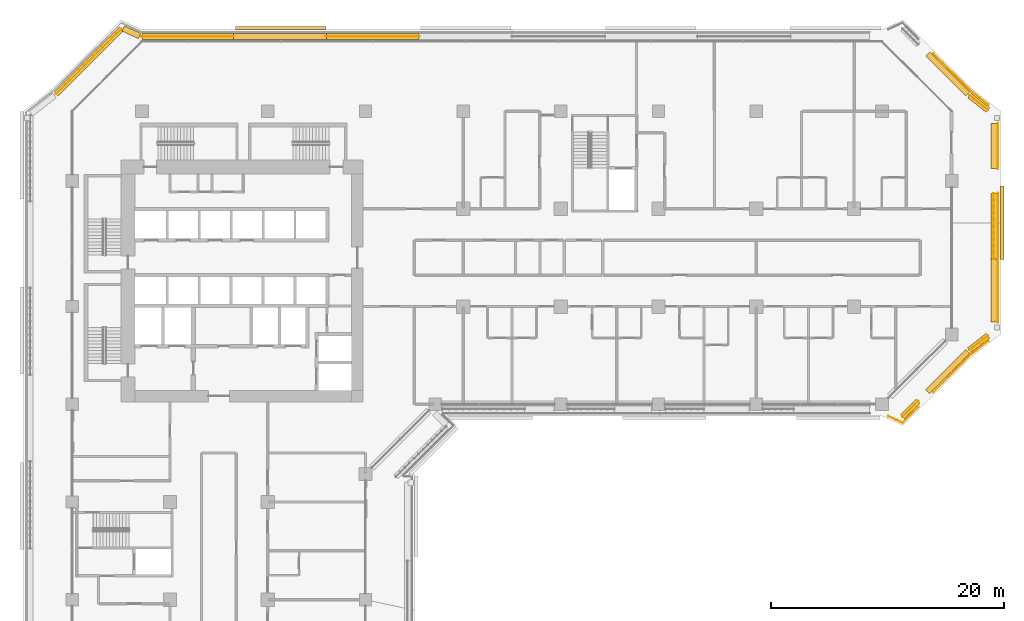
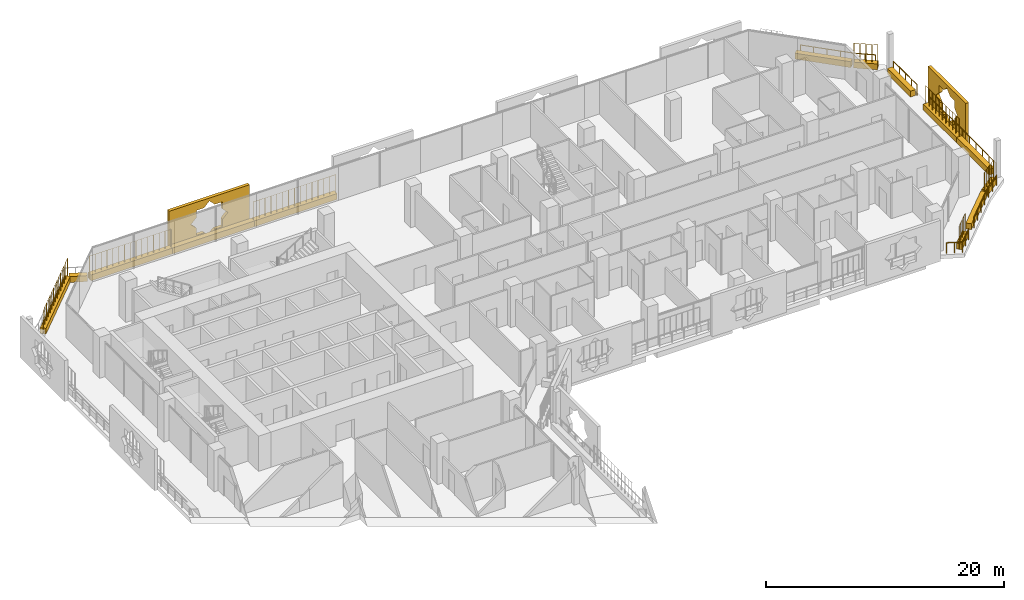
# One storey, part 25 of 26: 15 coverings, 12 railings.
"""IFC4 building model written with IfcOpenShell, lengths in metres."""

from ifc_helpers import new_model, si_unit, direction, frame, origin, origin_2d, place, context, subcontext, project, spatial, polyline, rectangle, circle, outline, extrude, material, material_profile, profile_set, type_object, element, save


model = new_model("IFC4")

# Units and contexts
model_context = context("Model", 3, precision=1e-05, world=origin(), true_north=direction((0.0, 1.0)))
body_context = subcontext(model_context, "Body", "Model", "MODEL_VIEW")
ifc_project = project(units=[si_unit("LENGTHUNIT", "METRE"), si_unit("AREAUNIT", "SQUARE_METRE"), si_unit("VOLUMEUNIT", "CUBIC_METRE"), si_unit("PLANEANGLEUNIT", "RADIAN"), si_unit("MASSUNIT", "GRAM", prefix="KILO")], contexts=[model_context])

# Site, building, storey
site_placement = place(None, origin())
site = spatial("IfcSite", under=ifc_project, at=site_placement, CompositionType="ELEMENT")
building_placement = place(site_placement, origin())
building = spatial("IfcBuilding", under=site, at=building_placement, Name="Kawkab Arch Medical Tower", CompositionType="ELEMENT")
storey_placement = place(building_placement, frame((0.0, 0.0, 119.800048828125)))
storey = spatial("IfcBuildingStorey", under=building, at=storey_placement, Name="L27", CompositionType="ELEMENT", Elevation=119.800048828125)

# Railings
ifc_material_1 = material(Name="Bronze anodised aluminium guard", Category="aluminium")
railing_type_1 = type_object("IfcRailingType", Name="Loggia and terrace guard 1100", PredefinedType="GUARDRAIL", material=ifc_material_1)
railing_1_placement = place(storey_placement, frame((74.02294921875, 4.969970703125, 0.0)))
element("IfcRailing", 1, at=railing_1_placement, inside=storey, type_object=railing_type_1, Name="Guard L27.LOG-01.1.3", PredefinedType="GUARDRAIL", context=body_context, shape_type="SweptSolid", body=[
    extrude(circle(Radius=0.02392578125, at=origin_2d()), frame((0.0, 0.0, 1.076171875), z_axis=(0.707106781187, -0.707106781187, 0.0), x_axis=(0.707106781187, 0.707106781187, 0.0)), (0.0, 0.0, 1.0), 4.641357421875),
    extrude(circle(Radius=0.02392578125, at=origin_2d()), frame((3.281982421875, -3.281982421875, 1.076171875), z_axis=(0.789253061044, -0.614068078989, 0.0), x_axis=(0.614068078989, 0.789253061044, 0.0)), (0.0, 0.0, 1.0), 1.856201171875),
    extrude(circle(Radius=0.02099609375, at=origin_2d()), origin(), (0.0, 0.0, 1.0), 1.052001953125),
    extrude(circle(Radius=0.02099609375, at=origin_2d()), frame((0.820556640625, -0.820556640625, 0.0)), (0.0, 0.0, 1.0), 1.052001953125),
    extrude(circle(Radius=0.02099609375, at=origin_2d()), frame((1.64111328125, -1.64111328125, 0.0)), (0.0, 0.0, 1.0), 1.052001953125),
    extrude(circle(Radius=0.02099609375, at=origin_2d()), frame((2.46142578125, -2.46142578125, 0.0)), (0.0, 0.0, 1.0), 1.052001953125),
    extrude(circle(Radius=0.02099609375, at=origin_2d()), frame((3.281982421875, -3.281982421875, 0.0)), (0.0, 0.0, 1.0), 1.052001953125),
    extrude(circle(Radius=0.02099609375, at=origin_2d()), frame((4.0146484375, -3.85205078125, 0.0)), (0.0, 0.0, 1.0), 1.052001953125),
    extrude(circle(Radius=0.02099609375, at=origin_2d()), frame((4.7470703125, -4.421875, 0.0)), (0.0, 0.0, 1.0), 1.052001953125),
])
railing_2_placement = place(storey_placement, frame((79.60009765625, -1.030029296875, 0.0)))
element("IfcRailing", 2, at=railing_2_placement, inside=storey, type_object=railing_type_1, Name="Guard L27.LOG-01.1.4", PredefinedType="GUARDRAIL", context=body_context, shape_type="SweptSolid", body=[
    extrude(circle(Radius=0.02392578125, at=origin_2d()), frame((0.0, 0.0, 1.076171875), z_axis=(0.0, -1.0, 0.0), x_axis=(1.0, 0.0, 0.0)), (0.0, 0.0, 1.0), 3.93994140625),
    extrude(circle(Radius=0.02099609375, at=origin_2d()), origin(), (0.0, 0.0, 1.0), 1.052001953125),
    extrude(circle(Radius=0.02099609375, at=origin_2d()), frame((0.0, -0.98486328125, 0.0)), (0.0, 0.0, 1.0), 1.052001953125),
    extrude(circle(Radius=0.02099609375, at=origin_2d()), frame((0.0, -1.969970703125, 0.0)), (0.0, 0.0, 1.0), 1.052001953125),
    extrude(circle(Radius=0.02099609375, at=origin_2d()), frame((0.0, -2.955078125, 0.0)), (0.0, 0.0, 1.0), 1.052001953125),
    extrude(circle(Radius=0.02099609375, at=origin_2d()), frame((0.0, -3.93994140625, 0.0)), (0.0, 0.0, 1.0), 1.052001953125),
])
railing_3_placement = place(storey_placement, frame((79.60009765625, -7.030029296875, 0.0)))
element("IfcRailing", 3, at=railing_3_placement, inside=storey, type_object=railing_type_1, Name="Guard L27.LOG-01.1.5", PredefinedType="GUARDRAIL", context=body_context, shape_type="SweptSolid", body=[
    extrude(circle(Radius=0.02392578125, at=origin_2d()), frame((0.0, 0.0, 1.076171875), z_axis=(0.0, -1.0, 0.0), x_axis=(1.0, 0.0, 0.0)), (0.0, 0.0, 1.0), 11.139892578125),
    extrude(circle(Radius=0.02099609375, at=origin_2d()), origin(), (0.0, 0.0, 1.0), 1.052001953125),
    extrude(circle(Radius=0.02099609375, at=origin_2d()), frame((0.0, -1.114013671875, 0.0)), (0.0, 0.0, 1.0), 1.052001953125),
    extrude(circle(Radius=0.02099609375, at=origin_2d()), frame((0.0, -2.22802734375, 0.0)), (0.0, 0.0, 1.0), 1.052001953125),
    extrude(circle(Radius=0.02099609375, at=origin_2d()), frame((0.0, -3.342041015625, 0.0)), (0.0, 0.0, 1.0), 1.052001953125),
    extrude(circle(Radius=0.02099609375, at=origin_2d()), frame((0.0, -4.4560546875, 0.0)), (0.0, 0.0, 1.0), 1.052001953125),
    extrude(circle(Radius=0.02099609375, at=origin_2d()), frame((0.0, -5.56982421875, 0.0)), (0.0, 0.0, 1.0), 1.052001953125),
    extrude(circle(Radius=0.02099609375, at=origin_2d()), frame((0.0, -6.683837890625, 0.0)), (0.0, 0.0, 1.0), 1.052001953125),
    extrude(circle(Radius=0.02099609375, at=origin_2d()), frame((0.0, -7.7978515625, 0.0)), (0.0, 0.0, 1.0), 1.052001953125),
    extrude(circle(Radius=0.02099609375, at=origin_2d()), frame((0.0, -8.911865234375, 0.0)), (0.0, 0.0, 1.0), 1.052001953125),
    extrude(circle(Radius=0.02099609375, at=origin_2d()), frame((0.0, -10.02587890625, 0.0)), (0.0, 0.0, 1.0), 1.052001953125),
    extrude(circle(Radius=0.02099609375, at=origin_2d()), frame((0.0, -11.139892578125, 0.0)), (0.0, 0.0, 1.0), 1.052001953125),
])
railing_4_placement = place(storey_placement, frame((78.77001953125, -19.748046875, 0.0)))
element("IfcRailing", 4, at=railing_4_placement, inside=storey, type_object=railing_type_1, Name="Guard L27.LOG-01.1.6", PredefinedType="GUARDRAIL", context=body_context, shape_type="SweptSolid", body=[
    extrude(circle(Radius=0.02392578125, at=origin_2d()), frame((0.0, 0.0, 1.076171875), z_axis=(-0.789253061044, -0.614068078989, 0.0), x_axis=(0.614068078989, -0.789253061044, 0.0)), (0.0, 0.0, 1.0), 1.856201171875),
    extrude(circle(Radius=0.02392578125, at=origin_2d()), frame((-1.465087890625, -1.139892578125, 1.076171875), z_axis=(-0.707106781187, -0.707106781187, 0.0), x_axis=(0.707106781187, -0.707106781187, 0.0)), (0.0, 0.0, 1.0), 4.641357421875),
    extrude(circle(Radius=0.02099609375, at=origin_2d()), origin(), (0.0, 0.0, 1.0), 1.052001953125),
    extrude(circle(Radius=0.02099609375, at=origin_2d()), frame((-0.732421875, -0.56982421875, 0.0)), (0.0, 0.0, 1.0), 1.052001953125),
    extrude(circle(Radius=0.02099609375, at=origin_2d()), frame((-1.465087890625, -1.139892578125, 0.0)), (0.0, 0.0, 1.0), 1.052001953125),
    extrude(circle(Radius=0.02099609375, at=origin_2d()), frame((-2.28564453125, -1.96044921875, 0.0)), (0.0, 0.0, 1.0), 1.052001953125),
    extrude(circle(Radius=0.02099609375, at=origin_2d()), frame((-3.10595703125, -2.78076171875, 0.0)), (0.0, 0.0, 1.0), 1.052001953125),
    extrude(circle(Radius=0.02099609375, at=origin_2d()), frame((-3.926513671875, -3.601318359375, 0.0)), (0.0, 0.0, 1.0), 1.052001953125),
    extrude(circle(Radius=0.02099609375, at=origin_2d()), frame((-4.7470703125, -4.421875, 0.0)), (0.0, 0.0, 1.0), 1.052001953125),
])
railing_5_placement = place(storey_placement, frame((72.77001953125, -25.423095703125, 0.0)))
element("IfcRailing", 5, at=railing_5_placement, inside=storey, type_object=railing_type_1, Name="Guard L27.LOG-01.1.7", PredefinedType="GUARDRAIL", context=body_context, shape_type="SweptSolid", body=[
    extrude(circle(Radius=0.02392578125, at=origin_2d()), frame((0.0, 0.0, 1.076171875), z_axis=(-0.707106781187, -0.707106781187, 0.0), x_axis=(0.707106781187, -0.707106781187, 0.0)), (0.0, 0.0, 1.0), 1.944580078125),
    extrude(circle(Radius=0.02392578125, at=origin_2d()), frame((-1.375, -1.375, 1.076171875), z_axis=(-0.910018386629, 0.414567890698, 0.0), x_axis=(-0.414567890698, -0.910018386629, 0.0)), (0.0, 0.0, 1.0), 1.370361328125),
    extrude(circle(Radius=0.02099609375, at=origin_2d()), origin(), (0.0, 0.0, 1.0), 1.052001953125),
    extrude(circle(Radius=0.02099609375, at=origin_2d()), frame((-0.6875, -0.6875, 0.0)), (0.0, 0.0, 1.0), 1.052001953125),
    extrude(circle(Radius=0.02099609375, at=origin_2d()), frame((-1.375, -1.375, 0.0)), (0.0, 0.0, 1.0), 1.052001953125),
    extrude(circle(Radius=0.02099609375, at=origin_2d()), frame((-1.99853515625, -1.0908203125, 0.0)), (0.0, 0.0, 1.0), 1.052001953125),
    extrude(circle(Radius=0.02099609375, at=origin_2d()), frame((-2.6220703125, -0.806884765625, 0.0)), (0.0, 0.0, 1.0), 1.052001953125),
])

# Coverings
ifc_material_2 = material(Name="Bronze anodised aluminium mashrabiya panel, eight-point star pattern", Category="aluminium")
ifc_material_profile_1 = material_profile(ifc_material_2, outline(polyline([(-3.14990234375, -2.10009765625), (3.14990234375, -2.10009765625), (3.14990234375, 2.10009765625), (-3.14990234375, 2.10009765625), (-3.14990234375, -2.10009765625)]), holes=[polyline([(1.800048828125, 0.0), (1.272705078125, 0.527099609375), (1.272705078125, 1.272705078125), (0.527099609375, 1.272705078125), (0.0, 1.800048828125), (-0.527099609375, 1.272705078125), (-1.272705078125, 1.272705078125), (-1.272705078125, 0.527099609375), (-1.800048828125, 0.0), (-1.272705078125, -0.527099609375), (-1.272705078125, -1.272705078125), (-0.527099609375, -1.272705078125), (0.0, -1.800048828125), (0.527099609375, -1.272705078125), (1.272705078125, -1.272705078125), (1.272705078125, -0.527099609375), (1.800048828125, 0.0)])]), Name="Mashrabiya panel 6300x4200")
ifc_profile_set_1 = profile_set([ifc_material_profile_1], Name="Bronze anodised aluminium mashrabiya panel, eight-point star pattern")
covering_type_1 = type_object("IfcCoveringType", Name="Mashrabiya panel 6300 x 4200", PredefinedType="USERDEFINED", material=ifc_profile_set_1)
covering_1_placement = place(storey_placement, frame((79.800048828125, -9.60009765625, 1.699951171875), z_axis=(1.0, 0.0, 0.0), x_axis=(0.0, 1.0, 0.0)))
element("IfcCovering", 6, at=covering_1_placement, inside=storey, type_object=covering_type_1, Name="Mashrabiya panel L27.LOG-01-01.10", ObjectType="SCREEN", PredefinedType="USERDEFINED", context=body_context, shape_type="SweptSolid", body=[
    extrude(outline(polyline([(-3.14990234375, -2.10009765625), (3.14990234375, -2.10009765625), (3.14990234375, 2.10009765625), (-3.14990234375, 2.10009765625), (-3.14990234375, -2.10009765625)]), holes=[polyline([(1.800048828125, 0.0), (1.272705078125, 0.527099609375), (1.272705078125, 1.272705078125), (0.527099609375, 1.272705078125), (0.0, 1.800048828125), (-0.527099609375, 1.272705078125), (-1.272705078125, 1.272705078125), (-1.272705078125, 0.527099609375), (-1.800048828125, 0.0), (-1.272705078125, -0.527099609375), (-1.272705078125, -1.272705078125), (-0.527099609375, -1.272705078125), (0.0, -1.800048828125), (0.527099609375, -1.272705078125), (1.272705078125, -1.272705078125), (1.272705078125, -0.527099609375), (1.800048828125, 0.0)])]), origin(), (0.0, 0.0, 1.0), 0.300048828125),
])
ifc_material_3 = material(Name="Bronze anodised aluminium mashrabiya panel, eight-point star pattern", Category="aluminium")
ifc_material_profile_2 = material_profile(ifc_material_3, outline(polyline([(-3.89990234375, -2.10009765625), (3.89990234375, -2.10009765625), (3.89990234375, 2.10009765625), (-3.89990234375, 2.10009765625), (-3.89990234375, -2.10009765625)]), holes=[polyline([(1.800048828125, 0.0), (1.272705078125, 0.527099609375), (1.272705078125, 1.272705078125), (0.527099609375, 1.272705078125), (0.0, 1.800048828125), (-0.527099609375, 1.272705078125), (-1.272705078125, 1.272705078125), (-1.272705078125, 0.527099609375), (-1.800048828125, 0.0), (-1.272705078125, -0.527099609375), (-1.272705078125, -1.272705078125), (-0.527099609375, -1.272705078125), (0.0, -1.800048828125), (0.527099609375, -1.272705078125), (1.272705078125, -1.272705078125), (1.272705078125, -0.527099609375), (1.800048828125, 0.0)])]), Name="Mashrabiya panel 7800x4200")
ifc_profile_set_2 = profile_set([ifc_material_profile_2], Name="Bronze anodised aluminium mashrabiya panel, eight-point star pattern")
covering_type_2 = type_object("IfcCoveringType", Name="Mashrabiya panel 7800 x 4200", PredefinedType="USERDEFINED", material=ifc_profile_set_2)
covering_2_placement = place(storey_placement, frame((17.923583984375, 7.0, 1.699951171875), z_axis=(0.0, 1.0, 0.0), x_axis=(-1.0, 0.0, 0.0)))
element("IfcCovering", 7, at=covering_2_placement, inside=storey, type_object=covering_type_2, Name="Mashrabiya panel L27.LOG-01-01.6", ObjectType="SCREEN", PredefinedType="USERDEFINED", context=body_context, shape_type="SweptSolid", body=[
    extrude(outline(polyline([(-3.89990234375, -2.10009765625), (3.89990234375, -2.10009765625), (3.89990234375, 2.10009765625), (-3.89990234375, 2.10009765625), (-3.89990234375, -2.10009765625)]), holes=[polyline([(1.800048828125, 0.0), (1.272705078125, 0.527099609375), (1.272705078125, 1.272705078125), (0.527099609375, 1.272705078125), (0.0, 1.800048828125), (-0.527099609375, 1.272705078125), (-1.272705078125, 1.272705078125), (-1.272705078125, 0.527099609375), (-1.800048828125, 0.0), (-1.272705078125, -0.527099609375), (-1.272705078125, -1.272705078125), (-0.527099609375, -1.272705078125), (0.0, -1.800048828125), (0.527099609375, -1.272705078125), (1.272705078125, -1.272705078125), (1.272705078125, -0.527099609375), (1.800048828125, 0.0)])]), origin(), (0.0, 0.0, 1.0), 0.300048828125),
])
ifc_material_4 = material(Name="Planting soil in a precast trough", Category="concrete")
ifc_material_profile_3 = material_profile(ifc_material_4, rectangle(XDim=0.5, YDim=0.60009765625, at=origin_2d()), Name="Trough 500x600")
ifc_profile_set_3 = profile_set([ifc_material_profile_3], Name="Planting soil in a precast trough")
covering_type_3 = type_object("IfcCoveringType", Name="Planter trough 500 x 600", PredefinedType="USERDEFINED", material=ifc_profile_set_3)
covering_3_placement = place(storey_placement, frame((-1.383056640625, 1.472900390625, 0.300048828125), z_axis=(0.707106781187, 0.707106781187, 0.0), x_axis=(-0.707106781187, 0.707106781187, 0.0)))
element("IfcCovering", 8, at=covering_3_placement, inside=storey, type_object=covering_type_3, Name="Planter L27.LOG-01-01.15", ObjectType="PLANTER", PredefinedType="USERDEFINED", context=body_context, shape_type="SweptSolid", body=[
    extrude(rectangle(XDim=0.5, YDim=0.60009765625, at=origin_2d()), origin(), (0.0, 0.0, 1.0), 7.919677734375),
])
covering_4_placement = place(storey_placement, frame((4.37890625, 7.10205078125, 0.300048828125), z_axis=(0.909655525109, -0.415363486165, 0.0), x_axis=(0.415363486165, 0.909655525109, 0.0)))
element("IfcCovering", 9, at=covering_4_placement, inside=storey, type_object=covering_type_3, Name="Planter L27.LOG-01-01.16", ObjectType="PLANTER", PredefinedType="USERDEFINED", context=body_context, shape_type="SweptSolid", body=[
    extrude(rectangle(XDim=0.5, YDim=0.60009765625, at=origin_2d()), origin(), (0.0, 0.0, 1.0), 1.54345703125),
])
covering_5_placement = place(storey_placement, frame((5.97412109375, 6.419921875, 0.300048828125), z_axis=(1.0, 0.0, 0.0), x_axis=(0.0, 1.0, 0.0)))
element("IfcCovering", 10, at=covering_5_placement, inside=storey, type_object=covering_type_3, Name="Planter L27.LOG-01-01.17", ObjectType="PLANTER", PredefinedType="USERDEFINED", context=body_context, shape_type="SweptSolid", body=[
    extrude(rectangle(XDim=0.5, YDim=0.60009765625, at=origin_2d()), origin(), (0.0, 0.0, 1.0), 7.8818359375),
])
covering_6_placement = place(storey_placement, frame((13.85595703125, 6.419921875, 0.300048828125), z_axis=(1.0, 0.0, 0.0), x_axis=(0.0, 1.0, 0.0)))
element("IfcCovering", 11, at=covering_6_placement, inside=storey, type_object=covering_type_3, Name="Planter L27.LOG-01-01.18", ObjectType="PLANTER", PredefinedType="USERDEFINED", context=body_context, shape_type="SweptSolid", body=[
    extrude(rectangle(XDim=0.5, YDim=0.60009765625, at=origin_2d()), origin(), (0.0, 0.0, 1.0), 7.98095703125),
])
covering_7_placement = place(storey_placement, frame((21.8369140625, 6.419921875, 0.300048828125), z_axis=(1.0, 0.0, 0.0), x_axis=(0.0, 1.0, 0.0)))
element("IfcCovering", 12, at=covering_7_placement, inside=storey, type_object=covering_type_3, Name="Planter L27.LOG-01-01.19", ObjectType="PLANTER", PredefinedType="USERDEFINED", context=body_context, shape_type="SweptSolid", body=[
    extrude(rectangle(XDim=0.5, YDim=0.60009765625, at=origin_2d()), origin(), (0.0, 0.0, 1.0), 7.982177734375),
])
covering_8_placement = place(storey_placement, frame((73.535888671875, 4.919921875, 0.300048828125), z_axis=(0.707106781187, -0.707106781187, 0.0), x_axis=(0.707106781187, 0.707106781187, 0.0)))
element("IfcCovering", 13, at=covering_8_placement, inside=storey, type_object=covering_type_3, Name="Planter L27.LOG-01-01.26", ObjectType="PLANTER", PredefinedType="USERDEFINED", context=body_context, shape_type="SweptSolid", body=[
    extrude(rectangle(XDim=0.5, YDim=0.60009765625, at=origin_2d()), origin(), (0.0, 0.0, 1.0), 4.874755859375),
])
covering_9_placement = place(storey_placement, frame((77.132080078125, 1.341064453125, 0.300048828125), z_axis=(0.789097367045, -0.614268137968, 0.0), x_axis=(0.614268137968, 0.789097367045, 0.0)))
element("IfcCovering", 14, at=covering_9_placement, inside=storey, type_object=covering_type_3, Name="Planter L27.LOG-01-01.27", ObjectType="PLANTER", PredefinedType="USERDEFINED", context=body_context, shape_type="SweptSolid", body=[
    extrude(rectangle(XDim=0.5, YDim=0.60009765625, at=origin_2d()), origin(), (0.0, 0.0, 1.0), 2.01220703125),
])
covering_10_placement = place(storey_placement, frame((79.219970703125, -1.080078125, 0.300048828125), z_axis=(0.0, -1.0, 0.0), x_axis=(1.0, 0.0, 0.0)))
element("IfcCovering", 15, at=covering_10_placement, inside=storey, type_object=covering_type_3, Name="Planter L27.LOG-01-01.28", ObjectType="PLANTER", PredefinedType="USERDEFINED", context=body_context, shape_type="SweptSolid", body=[
    extrude(rectangle(XDim=0.5, YDim=0.60009765625, at=origin_2d()), origin(), (0.0, 0.0, 1.0), 3.83984375),
])
covering_11_placement = place(storey_placement, frame((79.219970703125, -7.080078125, 0.300048828125), z_axis=(0.0, -1.0, 0.0), x_axis=(1.0, 0.0, 0.0)))
element("IfcCovering", 16, at=covering_11_placement, inside=storey, type_object=covering_type_3, Name="Planter L27.LOG-01-01.29", ObjectType="PLANTER", PredefinedType="USERDEFINED", context=body_context, shape_type="SweptSolid", body=[
    extrude(rectangle(XDim=0.5, YDim=0.60009765625, at=origin_2d()), origin(), (0.0, 0.0, 1.0), 5.625),
])
covering_12_placement = place(storey_placement, frame((79.219970703125, -12.705078125, 0.300048828125), z_axis=(0.0, -1.0, 0.0), x_axis=(1.0, 0.0, 0.0)))
element("IfcCovering", 17, at=covering_12_placement, inside=storey, type_object=covering_type_3, Name="Planter L27.LOG-01-01.30", ObjectType="PLANTER", PredefinedType="USERDEFINED", context=body_context, shape_type="SweptSolid", body=[
    extrude(rectangle(XDim=0.5, YDim=0.60009765625, at=origin_2d()), origin(), (0.0, 0.0, 1.0), 5.4150390625),
])
covering_13_placement = place(storey_placement, frame((78.719970703125, -19.304931640625, 0.300048828125), z_axis=(-0.789097367045, -0.614268137968, 0.0), x_axis=(0.614268137968, -0.789097367045, 0.0)))
element("IfcCovering", 18, at=covering_13_placement, inside=storey, type_object=covering_type_3, Name="Planter L27.LOG-01-01.31", ObjectType="PLANTER", PredefinedType="USERDEFINED", context=body_context, shape_type="SweptSolid", body=[
    extrude(rectangle(XDim=0.5, YDim=0.60009765625, at=origin_2d()), origin(), (0.0, 0.0, 1.0), 2.01220703125),
])
covering_14_placement = place(storey_placement, frame((76.98291015625, -20.673095703125, 0.300048828125), z_axis=(-0.707106781187, -0.707106781187, 0.0), x_axis=(0.707106781187, -0.707106781187, 0.0)))
element("IfcCovering", 19, at=covering_14_placement, inside=storey, type_object=covering_type_3, Name="Planter L27.LOG-01-01.32", ObjectType="PLANTER", PredefinedType="USERDEFINED", context=body_context, shape_type="SweptSolid", body=[
    extrude(rectangle(XDim=0.5, YDim=0.60009765625, at=origin_2d()), origin(), (0.0, 0.0, 1.0), 4.874755859375),
])
covering_15_placement = place(storey_placement, frame((72.719970703125, -24.93603515625, 0.300048828125), z_axis=(-0.707106781187, -0.707106781187, 0.0), x_axis=(0.707106781187, -0.707106781187, 0.0)))
element("IfcCovering", 20, at=covering_15_placement, inside=storey, type_object=covering_type_3, Name="Planter L27.LOG-01-01.33", ObjectType="PLANTER", PredefinedType="USERDEFINED", context=body_context, shape_type="SweptSolid", body=[
    extrude(rectangle(XDim=0.5, YDim=0.60009765625, at=origin_2d()), origin(), (0.0, 0.0, 1.0), 1.890625),
])

# Railings
ifc_material_5 = material(Name="Bronze anodised aluminium trellis for climbing plants", Category="aluminium")
railing_type_2 = type_object("IfcRailingType", Name="Planting trellis 2400", PredefinedType="USERDEFINED", material=ifc_material_5)
railing_6_placement = place(storey_placement, frame((-1.383056640625, 1.472900390625, 0.0)))
element("IfcRailing", 21, at=railing_6_placement, inside=storey, type_object=railing_type_2, Name="Planting trellis L27.LOG-01-01.15", ObjectType="TRELLIS", PredefinedType="USERDEFINED", context=body_context, shape_type="SweptSolid", body=[
    extrude(circle(Radius=0.01513671875, at=origin_2d()), frame((0.0, 0.0, 2.384765625), z_axis=(0.707106781187, 0.707106781187, 0.0), x_axis=(-0.707106781187, 0.707106781187, 0.0)), (0.0, 0.0, 1.0), 7.919677734375),
    extrude(circle(Radius=0.030029296875, at=origin_2d()), origin(), (0.0, 0.0, 1.0), 2.369873046875),
    extrude(circle(Radius=0.030029296875, at=origin_2d()), frame((0.39990234375, 0.39990234375, 0.0)), (0.0, 0.0, 1.0), 2.369873046875),
    extrude(circle(Radius=0.030029296875, at=origin_2d()), frame((0.800048828125, 0.800048828125, 0.0)), (0.0, 0.0, 1.0), 2.369873046875),
    extrude(circle(Radius=0.030029296875, at=origin_2d()), frame((1.199951171875, 1.199951171875, 0.0)), (0.0, 0.0, 1.0), 2.369873046875),
    extrude(circle(Radius=0.030029296875, at=origin_2d()), frame((1.60009765625, 1.60009765625, 0.0)), (0.0, 0.0, 1.0), 2.369873046875),
    extrude(circle(Radius=0.030029296875, at=origin_2d()), frame((2.0, 2.0, 0.0)), (0.0, 0.0, 1.0), 2.369873046875),
    extrude(circle(Radius=0.030029296875, at=origin_2d()), frame((2.400146484375, 2.400146484375, 0.0)), (0.0, 0.0, 1.0), 2.369873046875),
    extrude(circle(Radius=0.030029296875, at=origin_2d()), frame((2.800048828125, 2.800048828125, 0.0)), (0.0, 0.0, 1.0), 2.369873046875),
    extrude(circle(Radius=0.030029296875, at=origin_2d()), frame((3.199951171875, 3.199951171875, 0.0)), (0.0, 0.0, 1.0), 2.369873046875),
    extrude(circle(Radius=0.030029296875, at=origin_2d()), frame((3.60009765625, 3.60009765625, 0.0)), (0.0, 0.0, 1.0), 2.369873046875),
    extrude(circle(Radius=0.030029296875, at=origin_2d()), frame((4.0, 4.0, 0.0)), (0.0, 0.0, 1.0), 2.369873046875),
    extrude(circle(Radius=0.030029296875, at=origin_2d()), frame((4.400146484375, 4.400146484375, 0.0)), (0.0, 0.0, 1.0), 2.369873046875),
    extrude(circle(Radius=0.030029296875, at=origin_2d()), frame((4.800048828125, 4.800048828125, 0.0)), (0.0, 0.0, 1.0), 2.369873046875),
    extrude(circle(Radius=0.030029296875, at=origin_2d()), frame((5.2001953125, 5.2001953125, 0.0)), (0.0, 0.0, 1.0), 2.369873046875),
    extrude(circle(Radius=0.030029296875, at=origin_2d()), frame((5.60009765625, 5.60009765625, 0.0)), (0.0, 0.0, 1.0), 2.369873046875),
])
railing_7_placement = place(storey_placement, frame((5.97412109375, 6.419921875, 0.0)))
element("IfcRailing", 22, at=railing_7_placement, inside=storey, type_object=railing_type_2, Name="Planting trellis L27.LOG-01-01.17", ObjectType="TRELLIS", PredefinedType="USERDEFINED", context=body_context, shape_type="SweptSolid", body=[
    extrude(circle(Radius=0.01513671875, at=origin_2d()), frame((0.0, 0.0, 2.384765625), z_axis=(1.0, 0.0, 0.0), x_axis=(0.0, 1.0, 0.0)), (0.0, 0.0, 1.0), 7.8818359375),
    extrude(circle(Radius=0.030029296875, at=origin_2d()), origin(), (0.0, 0.0, 1.0), 2.369873046875),
    extrude(circle(Radius=0.030029296875, at=origin_2d()), frame((0.56298828125, 0.0, 0.0)), (0.0, 0.0, 1.0), 2.369873046875),
    extrude(circle(Radius=0.030029296875, at=origin_2d()), frame((1.1259765625, 0.0, 0.0)), (0.0, 0.0, 1.0), 2.369873046875),
    extrude(circle(Radius=0.030029296875, at=origin_2d()), frame((1.68896484375, 0.0, 0.0)), (0.0, 0.0, 1.0), 2.369873046875),
    extrude(circle(Radius=0.030029296875, at=origin_2d()), frame((2.251953125, 0.0, 0.0)), (0.0, 0.0, 1.0), 2.369873046875),
    extrude(circle(Radius=0.030029296875, at=origin_2d()), frame((2.81494140625, 0.0, 0.0)), (0.0, 0.0, 1.0), 2.369873046875),
    extrude(circle(Radius=0.030029296875, at=origin_2d()), frame((3.3779296875, 0.0, 0.0)), (0.0, 0.0, 1.0), 2.369873046875),
    extrude(circle(Radius=0.030029296875, at=origin_2d()), frame((3.94091796875, 0.0, 0.0)), (0.0, 0.0, 1.0), 2.369873046875),
    extrude(circle(Radius=0.030029296875, at=origin_2d()), frame((4.50390625, 0.0, 0.0)), (0.0, 0.0, 1.0), 2.369873046875),
    extrude(circle(Radius=0.030029296875, at=origin_2d()), frame((5.06689453125, 0.0, 0.0)), (0.0, 0.0, 1.0), 2.369873046875),
    extrude(circle(Radius=0.030029296875, at=origin_2d()), frame((5.6298828125, 0.0, 0.0)), (0.0, 0.0, 1.0), 2.369873046875),
    extrude(circle(Radius=0.030029296875, at=origin_2d()), frame((6.19287109375, 0.0, 0.0)), (0.0, 0.0, 1.0), 2.369873046875),
    extrude(circle(Radius=0.030029296875, at=origin_2d()), frame((6.755859375, 0.0, 0.0)), (0.0, 0.0, 1.0), 2.369873046875),
    extrude(circle(Radius=0.030029296875, at=origin_2d()), frame((7.31884765625, 0.0, 0.0)), (0.0, 0.0, 1.0), 2.369873046875),
    extrude(circle(Radius=0.030029296875, at=origin_2d()), frame((7.8818359375, 0.0, 0.0)), (0.0, 0.0, 1.0), 2.369873046875),
])
railing_8_placement = place(storey_placement, frame((21.8369140625, 6.419921875, 0.0)))
element("IfcRailing", 23, at=railing_8_placement, inside=storey, type_object=railing_type_2, Name="Planting trellis L27.LOG-01-01.19", ObjectType="TRELLIS", PredefinedType="USERDEFINED", context=body_context, shape_type="SweptSolid", body=[
    extrude(circle(Radius=0.01513671875, at=origin_2d()), frame((0.0, 0.0, 2.384765625), z_axis=(1.0, 0.0, 0.0), x_axis=(0.0, 1.0, 0.0)), (0.0, 0.0, 1.0), 7.982177734375),
    extrude(circle(Radius=0.030029296875, at=origin_2d()), origin(), (0.0, 0.0, 1.0), 2.369873046875),
    extrude(circle(Radius=0.030029296875, at=origin_2d()), frame((0.570068359375, 0.0, 0.0)), (0.0, 0.0, 1.0), 2.369873046875),
    extrude(circle(Radius=0.030029296875, at=origin_2d()), frame((1.140380859375, 0.0, 0.0)), (0.0, 0.0, 1.0), 2.369873046875),
    extrude(circle(Radius=0.030029296875, at=origin_2d()), frame((1.71044921875, 0.0, 0.0)), (0.0, 0.0, 1.0), 2.369873046875),
    extrude(circle(Radius=0.030029296875, at=origin_2d()), frame((2.280517578125, 0.0, 0.0)), (0.0, 0.0, 1.0), 2.369873046875),
    extrude(circle(Radius=0.030029296875, at=origin_2d()), frame((2.850830078125, 0.0, 0.0)), (0.0, 0.0, 1.0), 2.369873046875),
    extrude(circle(Radius=0.030029296875, at=origin_2d()), frame((3.4208984375, 0.0, 0.0)), (0.0, 0.0, 1.0), 2.369873046875),
    extrude(circle(Radius=0.030029296875, at=origin_2d()), frame((3.9912109375, 0.0, 0.0)), (0.0, 0.0, 1.0), 2.369873046875),
    extrude(circle(Radius=0.030029296875, at=origin_2d()), frame((4.561279296875, 0.0, 0.0)), (0.0, 0.0, 1.0), 2.369873046875),
    extrude(circle(Radius=0.030029296875, at=origin_2d()), frame((5.13134765625, 0.0, 0.0)), (0.0, 0.0, 1.0), 2.369873046875),
    extrude(circle(Radius=0.030029296875, at=origin_2d()), frame((5.70166015625, 0.0, 0.0)), (0.0, 0.0, 1.0), 2.369873046875),
    extrude(circle(Radius=0.030029296875, at=origin_2d()), frame((6.271728515625, 0.0, 0.0)), (0.0, 0.0, 1.0), 2.369873046875),
    extrude(circle(Radius=0.030029296875, at=origin_2d()), frame((6.841796875, 0.0, 0.0)), (0.0, 0.0, 1.0), 2.369873046875),
    extrude(circle(Radius=0.030029296875, at=origin_2d()), frame((7.412109375, 0.0, 0.0)), (0.0, 0.0, 1.0), 2.369873046875),
    extrude(circle(Radius=0.030029296875, at=origin_2d()), frame((7.982177734375, 0.0, 0.0)), (0.0, 0.0, 1.0), 2.369873046875),
])
railing_9_placement = place(storey_placement, frame((77.132080078125, 1.341064453125, 0.0)))
element("IfcRailing", 24, at=railing_9_placement, inside=storey, type_object=railing_type_2, Name="Planting trellis L27.LOG-01-01.27", ObjectType="TRELLIS", PredefinedType="USERDEFINED", context=body_context, shape_type="SweptSolid", body=[
    extrude(circle(Radius=0.01513671875, at=origin_2d()), frame((0.0, 0.0, 2.384765625), z_axis=(0.789097367045, -0.614268137968, 0.0), x_axis=(0.614268137968, 0.789097367045, 0.0)), (0.0, 0.0, 1.0), 2.01220703125),
    extrude(circle(Radius=0.030029296875, at=origin_2d()), origin(), (0.0, 0.0, 1.0), 2.369873046875),
    extrude(circle(Radius=0.030029296875, at=origin_2d()), frame((0.39697265625, -0.30908203125, 0.0)), (0.0, 0.0, 1.0), 2.369873046875),
    extrude(circle(Radius=0.030029296875, at=origin_2d()), frame((0.7939453125, -0.6181640625, 0.0)), (0.0, 0.0, 1.0), 2.369873046875),
    extrude(circle(Radius=0.030029296875, at=origin_2d()), frame((1.19091796875, -0.927001953125, 0.0)), (0.0, 0.0, 1.0), 2.369873046875),
    extrude(circle(Radius=0.030029296875, at=origin_2d()), frame((1.587890625, -1.236083984375, 0.0)), (0.0, 0.0, 1.0), 2.369873046875),
])
railing_10_placement = place(storey_placement, frame((79.219970703125, -7.080078125, 0.0)))
element("IfcRailing", 25, at=railing_10_placement, inside=storey, type_object=railing_type_2, Name="Planting trellis L27.LOG-01-01.29", ObjectType="TRELLIS", PredefinedType="USERDEFINED", context=body_context, shape_type="SweptSolid", body=[
    extrude(circle(Radius=0.01513671875, at=origin_2d()), frame((0.0, 0.0, 2.384765625), z_axis=(0.0, -1.0, 0.0), x_axis=(1.0, 0.0, 0.0)), (0.0, 0.0, 1.0), 5.625),
    extrude(circle(Radius=0.030029296875, at=origin_2d()), origin(), (0.0, 0.0, 1.0), 2.369873046875),
    extrude(circle(Radius=0.030029296875, at=origin_2d()), frame((0.0, -0.5625, 0.0)), (0.0, 0.0, 1.0), 2.369873046875),
    extrude(circle(Radius=0.030029296875, at=origin_2d()), frame((0.0, -1.125, 0.0)), (0.0, 0.0, 1.0), 2.369873046875),
    extrude(circle(Radius=0.030029296875, at=origin_2d()), frame((0.0, -1.6875, 0.0)), (0.0, 0.0, 1.0), 2.369873046875),
    extrude(circle(Radius=0.030029296875, at=origin_2d()), frame((0.0, -2.25, 0.0)), (0.0, 0.0, 1.0), 2.369873046875),
    extrude(circle(Radius=0.030029296875, at=origin_2d()), frame((0.0, -2.8125, 0.0)), (0.0, 0.0, 1.0), 2.369873046875),
    extrude(circle(Radius=0.030029296875, at=origin_2d()), frame((0.0, -3.375, 0.0)), (0.0, 0.0, 1.0), 2.369873046875),
    extrude(circle(Radius=0.030029296875, at=origin_2d()), frame((0.0, -3.9375, 0.0)), (0.0, 0.0, 1.0), 2.369873046875),
    extrude(circle(Radius=0.030029296875, at=origin_2d()), frame((0.0, -4.5, 0.0)), (0.0, 0.0, 1.0), 2.369873046875),
    extrude(circle(Radius=0.030029296875, at=origin_2d()), frame((0.0, -5.0625, 0.0)), (0.0, 0.0, 1.0), 2.369873046875),
    extrude(circle(Radius=0.030029296875, at=origin_2d()), frame((0.0, -5.625, 0.0)), (0.0, 0.0, 1.0), 2.369873046875),
])
railing_11_placement = place(storey_placement, frame((78.719970703125, -19.304931640625, 0.0)))
element("IfcRailing", 26, at=railing_11_placement, inside=storey, type_object=railing_type_2, Name="Planting trellis L27.LOG-01-01.31", ObjectType="TRELLIS", PredefinedType="USERDEFINED", context=body_context, shape_type="SweptSolid", body=[
    extrude(circle(Radius=0.01513671875, at=origin_2d()), frame((0.0, 0.0, 2.384765625), z_axis=(-0.789097367045, -0.614268137968, 0.0), x_axis=(0.614268137968, -0.789097367045, 0.0)), (0.0, 0.0, 1.0), 2.01220703125),
    extrude(circle(Radius=0.030029296875, at=origin_2d()), origin(), (0.0, 0.0, 1.0), 2.369873046875),
    extrude(circle(Radius=0.030029296875, at=origin_2d()), frame((-0.39697265625, -0.30908203125, 0.0)), (0.0, 0.0, 1.0), 2.369873046875),
    extrude(circle(Radius=0.030029296875, at=origin_2d()), frame((-0.7939453125, -0.6181640625, 0.0)), (0.0, 0.0, 1.0), 2.369873046875),
    extrude(circle(Radius=0.030029296875, at=origin_2d()), frame((-1.19091796875, -0.927001953125, 0.0)), (0.0, 0.0, 1.0), 2.369873046875),
    extrude(circle(Radius=0.030029296875, at=origin_2d()), frame((-1.587890625, -1.236083984375, 0.0)), (0.0, 0.0, 1.0), 2.369873046875),
])
railing_12_placement = place(storey_placement, frame((72.719970703125, -24.93603515625, 0.0)))
element("IfcRailing", 27, at=railing_12_placement, inside=storey, type_object=railing_type_2, Name="Planting trellis L27.LOG-01-01.33", ObjectType="TRELLIS", PredefinedType="USERDEFINED", context=body_context, shape_type="SweptSolid", body=[
    extrude(circle(Radius=0.01513671875, at=origin_2d()), frame((0.0, 0.0, 2.384765625), z_axis=(-0.707106781187, -0.707106781187, 0.0), x_axis=(0.707106781187, -0.707106781187, 0.0)), (0.0, 0.0, 1.0), 1.890625),
    extrude(circle(Radius=0.030029296875, at=origin_2d()), origin(), (0.0, 0.0, 1.0), 2.369873046875),
    extrude(circle(Radius=0.030029296875, at=origin_2d()), frame((-0.334228515625, -0.334228515625, 0.0)), (0.0, 0.0, 1.0), 2.369873046875),
    extrude(circle(Radius=0.030029296875, at=origin_2d()), frame((-0.66845703125, -0.66845703125, 0.0)), (0.0, 0.0, 1.0), 2.369873046875),
    extrude(circle(Radius=0.030029296875, at=origin_2d()), frame((-1.002685546875, -1.002685546875, 0.0)), (0.0, 0.0, 1.0), 2.369873046875),
    extrude(circle(Radius=0.030029296875, at=origin_2d()), frame((-1.3369140625, -1.3369140625, 0.0)), (0.0, 0.0, 1.0), 2.369873046875),
])

save(model, "model.ifc")
